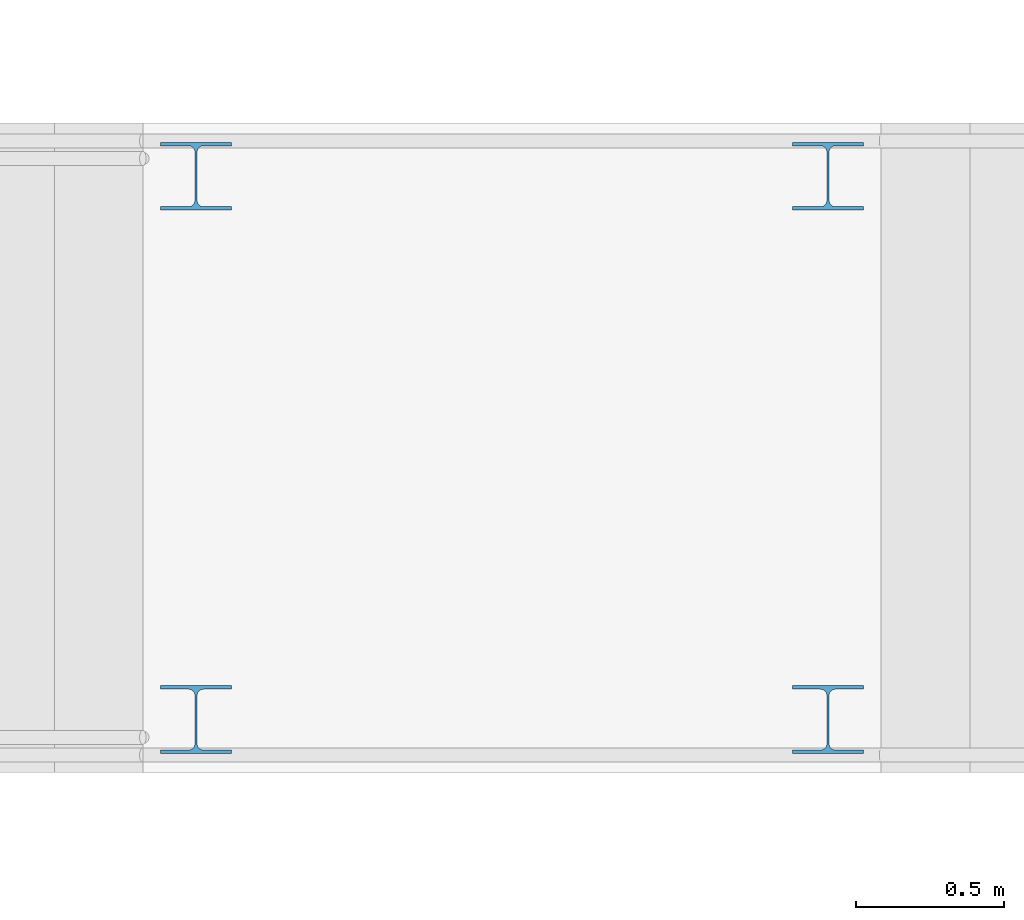
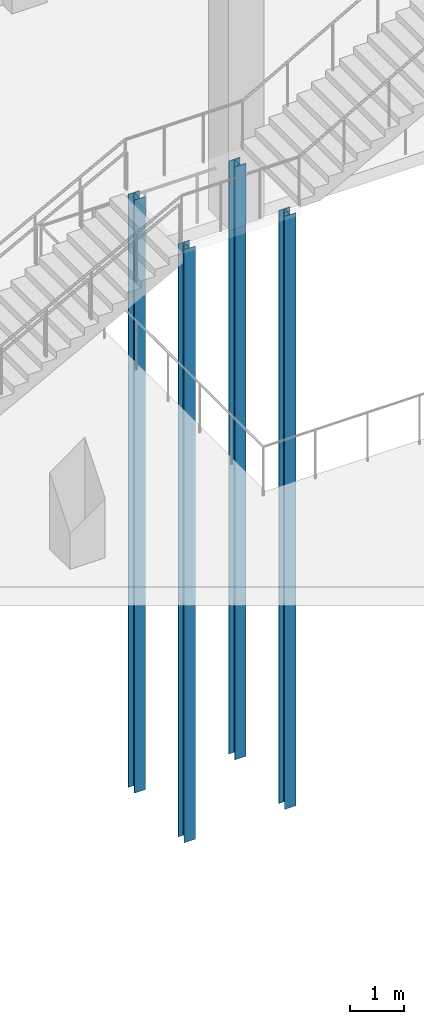
# One storey, part 14 of 69: 4 members.
"""IFC4 building model written with IfcOpenShell, lengths in metres."""

from ifc_helpers import new_model, si_unit, direction, frame, origin, origin_2d, place, context, subcontext, project, spatial, i_section, extrude, material, material_profile, profile_set, type_object, element, save


model = new_model("IFC4")

# Units and contexts
model_context = context("Model", 3, precision=1e-05, world=origin(), true_north=direction((0.0, 1.0)))
body_context = subcontext(model_context, "Body", "Model", "MODEL_VIEW")
ifc_project = project(units=[si_unit("LENGTHUNIT", "METRE"), si_unit("AREAUNIT", "SQUARE_METRE"), si_unit("VOLUMEUNIT", "CUBIC_METRE"), si_unit("PLANEANGLEUNIT", "RADIAN"), si_unit("MASSUNIT", "GRAM", prefix="KILO")], contexts=[model_context])

# Site, building, storey
site_placement = place(None, origin())
site = spatial("IfcSite", under=ifc_project, at=site_placement, CompositionType="ELEMENT")
building_placement = place(site_placement, origin())
building = spatial("IfcBuilding", under=site, at=building_placement, Name="Kenh Van Central Station", CompositionType="ELEMENT")
storey_placement = place(building_placement, frame((0.0, 0.0, 5.39990234375)))
storey = spatial("IfcBuildingStorey", under=building, at=storey_placement, Name="L01", CompositionType="ELEMENT", Elevation=5.39990234375)

# Members
ifc_material = material(Name="Steel S355", Category="steel")
ifc_material_profile = material_profile(ifc_material, i_section(OverallWidth=0.239990234375, OverallDepth=0.22998046875, WebThickness=0.007568359375, FlangeThickness=0.011962890625, FilletRadius=0.02099609375, at=origin_2d()), Name="HEA 240")
ifc_profile_set = profile_set([ifc_material_profile], Name="Steel S355")
member_type = type_object("IfcMemberType", Name="MEM-ROOF-POST240", PredefinedType="POST", material=ifc_profile_set)
for number, where, z_axis, x_axis, name in (
    (1, (84.885009765625, 28.429931640625, -10.7998046875), (0.0, 0.0, 1.0), (1.0, 0.0, 0.0), "Departure Concourse Paid Bridge Stair mid-landing support post 11"),
    (2, (84.885009765625, 30.27001953125, -10.7998046875), (0.0, 0.0, 1.0), (1.0, 0.0, 0.0), "Departure Concourse Paid Bridge Stair mid-landing support post 12"),
    (3, (87.02490234375, 28.429931640625, -10.7998046875), (0.0, 0.0, 1.0), (1.0, 0.0, 0.0), "Departure Concourse Paid Bridge Stair mid-landing support post 21"),
    (4, (87.02490234375, 30.27001953125, -10.7998046875), (0.0, 0.0, 1.0), (1.0, 0.0, 0.0), "Departure Concourse Paid Bridge Stair mid-landing support post 22"),
):
    element("IfcMember", number, at=place(storey_placement, frame(where, z_axis=z_axis, x_axis=x_axis)), inside=storey, type_object=member_type, Name=name, PredefinedType="POST", context=body_context, shape_type="SweptSolid", body=[
        extrude(i_section(OverallWidth=0.239990234375, OverallDepth=0.22998046875, WebThickness=0.007568359375, FlangeThickness=0.011962890625, FilletRadius=0.02099609375, at=origin_2d()), origin(), (0.0, 0.0, 1.0), 13.349853515625),
    ])

save(model, "model.ifc")
